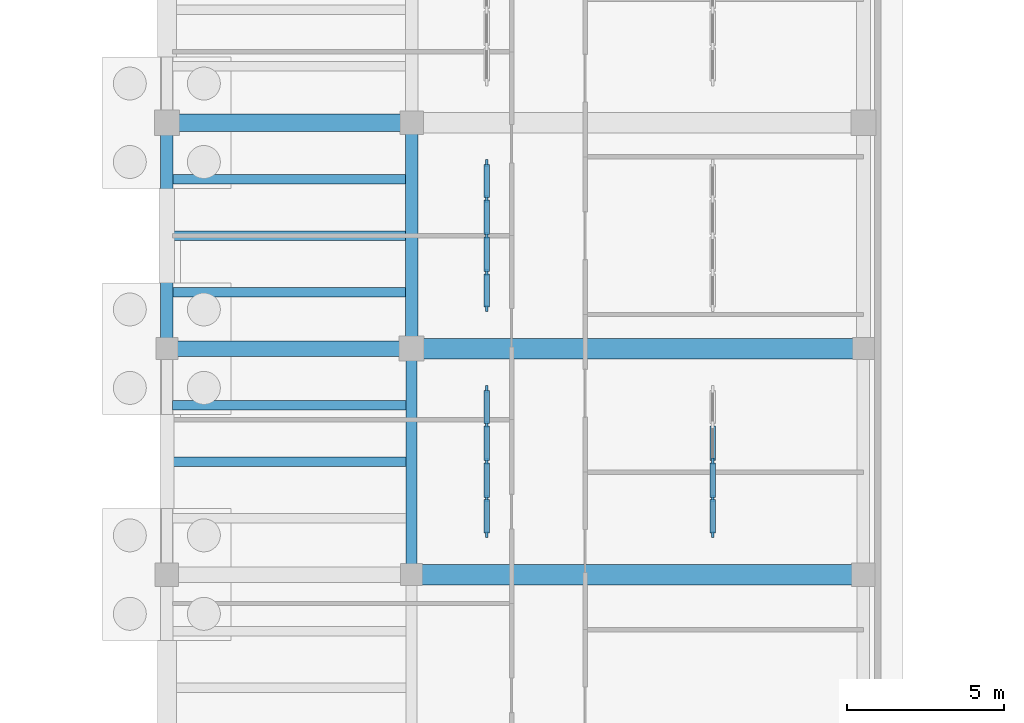
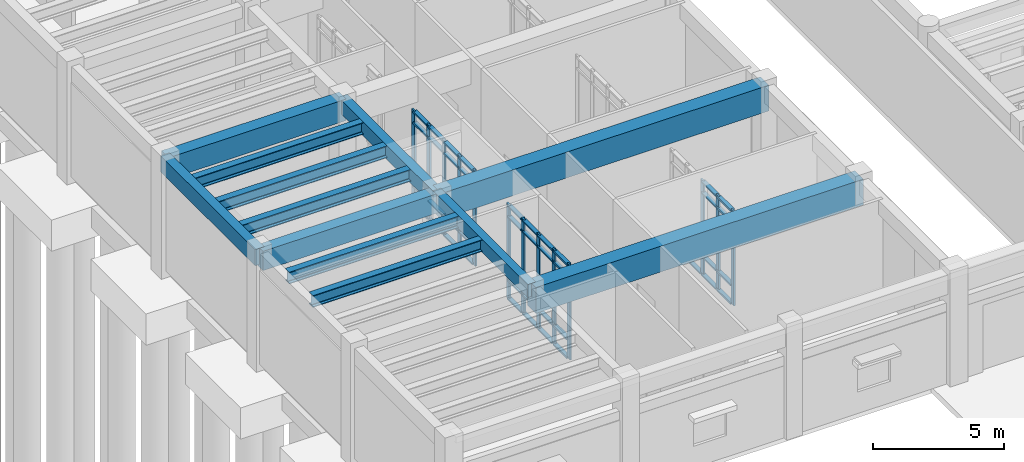
# One storey, part 9 of 100: 54 members, 12 beams, 3 elements without a shape of their own.
"""IFC4 building model written with IfcOpenShell, lengths in metres."""

from ifc_helpers import new_model, si_unit, direction, frame, origin, origin_2d, place, context, subcontext, project, spatial, rectangle, i_section, extrude, material, material_profile, profile_set, type_object, element, aggregate, save


model = new_model("IFC4")

# Units and contexts
model_context = context("Model", 3, precision=1e-05, world=origin(), true_north=direction((0.0, 1.0)))
body_context = subcontext(model_context, "Body", "Model", "MODEL_VIEW")
ifc_project = project(units=[si_unit("LENGTHUNIT", "METRE"), si_unit("AREAUNIT", "SQUARE_METRE"), si_unit("VOLUMEUNIT", "CUBIC_METRE"), si_unit("PLANEANGLEUNIT", "RADIAN"), si_unit("MASSUNIT", "GRAM", prefix="KILO")], contexts=[model_context])

# Site, building, storey
site_placement = place(None, origin())
site = spatial("IfcSite", under=ifc_project, at=site_placement, CompositionType="ELEMENT")
building_placement = place(site_placement, origin())
building = spatial("IfcBuilding", under=site, at=building_placement, Name="Mithqara Police Headquarters", CompositionType="ELEMENT")
storey_placement = place(building_placement, origin())
storey = spatial("IfcBuildingStorey", under=building, at=storey_placement, Name="L00", CompositionType="ELEMENT", Elevation=0.0)

# Beams
ifc_material_1 = material(Name="Steel S355JR", Category="steel")
ifc_material_profile_1 = material_profile(ifc_material_1, i_section(OverallWidth=0.300048828125, OverallDepth=0.550048828125, WebThickness=0.014892578125, FlangeThickness=0.029052734375, FilletRadius=0.027099609375, at=origin_2d()), Name="HEB 550")
ifc_profile_set_1 = profile_set([ifc_material_profile_1], Name="Steel S355JR")
beam_type_1 = type_object("IfcBeamType", Name="BEAM HEB550", PredefinedType="BEAM", material=ifc_profile_set_1)
for number, where, z_axis, x_axis, name in (
    (1, (0.175048828125, 31.800048828125, 4.844970703125), (1.0, 0.0, 0.0), (0.0, 1.0, 0.0), "L00 Composite Steel Joist 1-2/E.2"),
    (2, (0.175048828125, 33.60009765625, 4.844970703125), (1.0, 0.0, 0.0), (0.0, 1.0, 0.0), "L00 Composite Steel Joist 1-2/E.3"),
):
    element("IfcBeam", number, at=place(storey_placement, frame(where, z_axis=z_axis, x_axis=x_axis)), inside=storey, type_object=beam_type_1, Name=name, PredefinedType="BEAM", context=body_context, shape_type="SweptSolid", body=[
        extrude(i_section(OverallWidth=0.300048828125, OverallDepth=0.550048828125, WebThickness=0.014892578125, FlangeThickness=0.029052734375, FilletRadius=0.027099609375, at=origin_2d()), origin(), (0.0, 0.0, 1.0), 7.449951171875),
    ])
for number, where, z_axis, x_axis, name in (
    (3, (0.199951171875, 37.199951171875, 4.844970703125), (1.0, 0.0, 0.0), (0.0, 1.0, 0.0), "L00 Composite Steel Joist 1-2/F.1"),
    (4, (0.199951171875, 39.0, 4.844970703125), (1.0, 0.0, 0.0), (0.0, 1.0, 0.0), "L00 Composite Steel Joist 1-2/F.2"),
    (5, (0.199951171875, 40.800048828125, 4.844970703125), (1.0, 0.0, 0.0), (0.0, 1.0, 0.0), "L00 Composite Steel Joist 1-2/F.3"),
):
    element("IfcBeam", number, at=place(storey_placement, frame(where, z_axis=z_axis, x_axis=x_axis)), inside=storey, type_object=beam_type_1, Name=name, PredefinedType="BEAM", context=body_context, shape_type="SweptSolid", body=[
        extrude(i_section(OverallWidth=0.300048828125, OverallDepth=0.550048828125, WebThickness=0.014892578125, FlangeThickness=0.029052734375, FilletRadius=0.027099609375, at=origin_2d()), origin(), (0.0, 0.0, 1.0), 7.400146484375),
    ])
ifc_material_2 = material(Name="Concrete C40/50", Category="concrete")
ifc_material_profile_2 = material_profile(ifc_material_2, rectangle(XDim=0.35009765625, YDim=0.60009765625, at=origin_2d()), Name="RC 350x600")
ifc_profile_set_2 = profile_set([ifc_material_profile_2], Name="Concrete C40/50")
beam_type_2 = type_object("IfcBeamType", Name="BEAM RC350X600", PredefinedType="BEAM", material=ifc_profile_set_2)
beam_1_placement = place(storey_placement, frame((7.800048828125, 28.199951171875, 4.820068359375), z_axis=(0.0, 1.0, 0.0), x_axis=(-1.0, 0.0, 0.0)))
element("IfcBeam", 6, at=beam_1_placement, inside=storey, type_object=beam_type_2, Name="L00 Girder 2/E-F", PredefinedType="BEAM", context=body_context, shape_type="SweptSolid", body=[
    extrude(rectangle(XDim=0.35009765625, YDim=0.60009765625, at=origin_2d()), origin(), (0.0, 0.0, 1.0), 7.199951171875),
])
ifc_material_profile_3 = material_profile(ifc_material_2, rectangle(XDim=0.39990234375, YDim=0.64990234375, at=origin_2d()), Name="RC 400x650")
ifc_profile_set_3 = profile_set([ifc_material_profile_3], Name="Concrete C40/50")
beam_type_3 = type_object("IfcBeamType", Name="BEAM RC400X650", PredefinedType="BEAM", material=ifc_profile_set_3)
beam_2_placement = place(storey_placement, frame((7.800048828125, 35.39990234375, 4.794921875), z_axis=(0.0, 1.0, 0.0), x_axis=(-1.0, 0.0, 0.0)))
element("IfcBeam", 7, at=beam_2_placement, inside=storey, type_object=beam_type_3, Name="L00 Girder 2/F-G", PredefinedType="BEAM", context=body_context, shape_type="SweptSolid", body=[
    extrude(rectangle(XDim=0.39990234375, YDim=0.64990234375, at=origin_2d()), origin(), (0.0, 0.0, 1.0), 7.2001953125),
])
ifc_material_3 = material(Name="Concrete C50/60", Category="concrete")
ifc_material_profile_4 = material_profile(ifc_material_3, rectangle(XDim=0.5, YDim=0.89990234375, at=origin_2d()), Name="RC 500x900")
ifc_profile_set_4 = profile_set([ifc_material_profile_4], Name="Concrete C50/60")
beam_type_4 = type_object("IfcBeamType", Name="BEAM RC500X900", PredefinedType="BEAM", material=ifc_profile_set_4)
beam_3_placement = place(storey_placement, frame((0.0, 35.39990234375, 4.669921875), z_axis=(1.0, 0.0, 0.0), x_axis=(0.0, 1.0, 0.0)))
element("IfcBeam", 8, at=beam_3_placement, inside=storey, type_object=beam_type_4, Name="L00 Girder 1-2/F", PredefinedType="BEAM", context=body_context, shape_type="SweptSolid", body=[
    extrude(rectangle(XDim=0.5, YDim=0.89990234375, at=origin_2d()), origin(), (0.0, 0.0, 1.0), 7.800048828125),
])
ifc_material_profile_5 = material_profile(ifc_material_3, rectangle(XDim=0.550048828125, YDim=1.0, at=origin_2d()), Name="RC 550x1000")
ifc_profile_set_5 = profile_set([ifc_material_profile_5], Name="Concrete C50/60")
beam_type_5 = type_object("IfcBeamType", Name="BEAM RC550X1000", PredefinedType="BEAM", material=ifc_profile_set_5)
beam_4_placement = place(storey_placement, frame((0.0, 42.60009765625, 4.6201171875), z_axis=(1.0, 0.0, 0.0), x_axis=(0.0, 1.0, 0.0)))
element("IfcBeam", 9, at=beam_4_placement, inside=storey, type_object=beam_type_5, Name="L00 Girder 1-2/G", PredefinedType="BEAM", context=body_context, shape_type="SweptSolid", body=[
    extrude(rectangle(XDim=0.550048828125, YDim=1.0, at=origin_2d()), origin(), (0.0, 0.0, 1.0), 7.800048828125),
])

# Curtain wall, members
ifc_material_4 = material(Name="Bronze anodised aluminium 6063-T6", Category="aluminium")
curtain_wall_type = type_object("IfcCurtainWallType", Name="CURTAIN WALL 4700X4400", PredefinedType="USERDEFINED", material=ifc_material_4)
curtain_wall_1_placement = place(storey_placement, origin())
curtain_wall_1 = element("IfcCurtainWall", 10, at=curtain_wall_1_placement, inside=storey, type_object=curtain_wall_type, Name="L00 Unitised Glazing CW-14 (CW-INT-L00-X01-Y04-0)", ObjectType="UNITISED GLAZING", PredefinedType="USERDEFINED")
ifc_material_profile_6 = material_profile(ifc_material_4, rectangle(XDim=0.074951171875, YDim=0.219970703125, at=origin_2d()), Name="CWM 75x220")
ifc_profile_set_6 = profile_set([ifc_material_profile_6], Name="Bronze anodised aluminium 6063-T6")
member_type_1 = type_object("IfcMemberType", Name="CWMULLION 75X220", PredefinedType="MULLION", material=ifc_profile_set_6)
member_1_placement = place(storey_placement, frame((10.199951171875, 29.487548828125, 0.0), z_axis=(0.0, 0.0, 1.0), x_axis=(-1.0, 0.0, 0.0)))
member_1 = element("IfcMember", 11, at=member_1_placement, type_object=member_type_1, Name="CW-14 mullion 1", PredefinedType="MULLION", context=body_context, shape_type="SweptSolid", body=[
    extrude(rectangle(XDim=0.074951171875, YDim=0.219970703125, at=origin_2d()), origin(), (0.0, 0.0, 1.0), 4.39990234375),
])
member_2_placement = place(storey_placement, frame((10.199951171875, 30.625, 0.0), z_axis=(0.0, 0.0, 1.0), x_axis=(-1.0, 0.0, 0.0)))
member_2 = element("IfcMember", 12, at=member_2_placement, type_object=member_type_1, Name="CW-14 mullion 2", PredefinedType="MULLION", context=body_context, shape_type="SweptSolid", body=[
    extrude(rectangle(XDim=0.074951171875, YDim=0.219970703125, at=origin_2d()), origin(), (0.0, 0.0, 1.0), 4.39990234375),
])
member_3_placement = place(storey_placement, frame((10.199951171875, 31.800048828125, 0.0), z_axis=(0.0, 0.0, 1.0), x_axis=(-1.0, 0.0, 0.0)))
member_3 = element("IfcMember", 13, at=member_3_placement, type_object=member_type_1, Name="CW-14 mullion 3", PredefinedType="MULLION", context=body_context, shape_type="SweptSolid", body=[
    extrude(rectangle(XDim=0.074951171875, YDim=0.219970703125, at=origin_2d()), origin(), (0.0, 0.0, 1.0), 4.39990234375),
])
member_4_placement = place(storey_placement, frame((10.199951171875, 32.97509765625, 0.0), z_axis=(0.0, 0.0, 1.0), x_axis=(-1.0, 0.0, 0.0)))
member_4 = element("IfcMember", 14, at=member_4_placement, type_object=member_type_1, Name="CW-14 mullion 4", PredefinedType="MULLION", context=body_context, shape_type="SweptSolid", body=[
    extrude(rectangle(XDim=0.074951171875, YDim=0.219970703125, at=origin_2d()), origin(), (0.0, 0.0, 1.0), 4.39990234375),
])
member_5_placement = place(storey_placement, frame((10.199951171875, 34.112548828125, 0.0), z_axis=(0.0, 0.0, 1.0), x_axis=(-1.0, 0.0, 0.0)))
member_5 = element("IfcMember", 15, at=member_5_placement, type_object=member_type_1, Name="CW-14 mullion 5", PredefinedType="MULLION", context=body_context, shape_type="SweptSolid", body=[
    extrude(rectangle(XDim=0.074951171875, YDim=0.219970703125, at=origin_2d()), origin(), (0.0, 0.0, 1.0), 4.39990234375),
])

curtain_wall_2_placement = place(storey_placement, origin())
curtain_wall_2 = element("IfcCurtainWall", 16, at=curtain_wall_2_placement, inside=storey, type_object=curtain_wall_type, Name="L00 Unitised Glazing CW-14 (CW-INT-L00-X01-Y05-0)", ObjectType="UNITISED GLAZING", PredefinedType="USERDEFINED")
member_6_placement = place(storey_placement, frame((10.199951171875, 36.6875, 0.0), z_axis=(0.0, 0.0, 1.0), x_axis=(-1.0, 0.0, 0.0)))
member_6 = element("IfcMember", 17, at=member_6_placement, type_object=member_type_1, Name="CW-14 mullion 1", PredefinedType="MULLION", context=body_context, shape_type="SweptSolid", body=[
    extrude(rectangle(XDim=0.074951171875, YDim=0.219970703125, at=origin_2d()), origin(), (0.0, 0.0, 1.0), 4.39990234375),
])
member_7_placement = place(storey_placement, frame((10.199951171875, 37.824951171875, 0.0), z_axis=(0.0, 0.0, 1.0), x_axis=(-1.0, 0.0, 0.0)))
member_7 = element("IfcMember", 18, at=member_7_placement, type_object=member_type_1, Name="CW-14 mullion 2", PredefinedType="MULLION", context=body_context, shape_type="SweptSolid", body=[
    extrude(rectangle(XDim=0.074951171875, YDim=0.219970703125, at=origin_2d()), origin(), (0.0, 0.0, 1.0), 4.39990234375),
])
member_8_placement = place(storey_placement, frame((10.199951171875, 39.0, 0.0), z_axis=(0.0, 0.0, 1.0), x_axis=(-1.0, 0.0, 0.0)))
member_8 = element("IfcMember", 19, at=member_8_placement, type_object=member_type_1, Name="CW-14 mullion 3", PredefinedType="MULLION", context=body_context, shape_type="SweptSolid", body=[
    extrude(rectangle(XDim=0.074951171875, YDim=0.219970703125, at=origin_2d()), origin(), (0.0, 0.0, 1.0), 4.39990234375),
])
member_9_placement = place(storey_placement, frame((10.199951171875, 40.175048828125, 0.0), z_axis=(0.0, 0.0, 1.0), x_axis=(-1.0, 0.0, 0.0)))
member_9 = element("IfcMember", 20, at=member_9_placement, type_object=member_type_1, Name="CW-14 mullion 4", PredefinedType="MULLION", context=body_context, shape_type="SweptSolid", body=[
    extrude(rectangle(XDim=0.074951171875, YDim=0.219970703125, at=origin_2d()), origin(), (0.0, 0.0, 1.0), 4.39990234375),
])
member_10_placement = place(storey_placement, frame((10.199951171875, 41.3125, 0.0), z_axis=(0.0, 0.0, 1.0), x_axis=(-1.0, 0.0, 0.0)))
member_10 = element("IfcMember", 21, at=member_10_placement, type_object=member_type_1, Name="CW-14 mullion 5", PredefinedType="MULLION", context=body_context, shape_type="SweptSolid", body=[
    extrude(rectangle(XDim=0.074951171875, YDim=0.219970703125, at=origin_2d()), origin(), (0.0, 0.0, 1.0), 4.39990234375),
])

curtain_wall_3_placement = place(storey_placement, origin())
curtain_wall_3 = element("IfcCurtainWall", 22, at=curtain_wall_3_placement, inside=storey, type_object=curtain_wall_type, Name="L00 Unitised Glazing CW-14 (CW-INT-L00-X02-Y04-0)", ObjectType="UNITISED GLAZING", PredefinedType="USERDEFINED")
member_11_placement = place(storey_placement, frame((17.39990234375, 29.487548828125, 0.0), z_axis=(0.0, 0.0, 1.0), x_axis=(-1.0, 0.0, 0.0)))
member_11 = element("IfcMember", 23, at=member_11_placement, type_object=member_type_1, Name="CW-14 mullion 1", PredefinedType="MULLION", context=body_context, shape_type="SweptSolid", body=[
    extrude(rectangle(XDim=0.074951171875, YDim=0.219970703125, at=origin_2d()), origin(), (0.0, 0.0, 1.0), 4.39990234375),
])
member_12_placement = place(storey_placement, frame((17.39990234375, 30.625, 0.0), z_axis=(0.0, 0.0, 1.0), x_axis=(-1.0, 0.0, 0.0)))
member_12 = element("IfcMember", 24, at=member_12_placement, type_object=member_type_1, Name="CW-14 mullion 2", PredefinedType="MULLION", context=body_context, shape_type="SweptSolid", body=[
    extrude(rectangle(XDim=0.074951171875, YDim=0.219970703125, at=origin_2d()), origin(), (0.0, 0.0, 1.0), 4.39990234375),
])
member_13_placement = place(storey_placement, frame((17.39990234375, 31.800048828125, 0.0), z_axis=(0.0, 0.0, 1.0), x_axis=(-1.0, 0.0, 0.0)))
member_13 = element("IfcMember", 25, at=member_13_placement, type_object=member_type_1, Name="CW-14 mullion 3", PredefinedType="MULLION", context=body_context, shape_type="SweptSolid", body=[
    extrude(rectangle(XDim=0.074951171875, YDim=0.219970703125, at=origin_2d()), origin(), (0.0, 0.0, 1.0), 4.39990234375),
])

# Member
ifc_material_profile_7 = material_profile(ifc_material_4, rectangle(XDim=0.179931640625, YDim=0.074951171875, at=origin_2d()), Name="CWT 180x75")
ifc_profile_set_7 = profile_set([ifc_material_profile_7], Name="Bronze anodised aluminium 6063-T6")
member_type_2 = type_object("IfcMemberType", Name="CWTRANSOM 180X75", PredefinedType="USERDEFINED", material=ifc_profile_set_7)
member_14_placement = place(storey_placement, frame((10.199951171875, 29.52490234375, 0.03759765625), z_axis=(0.0, 1.0, 0.0), x_axis=(-1.0, 0.0, 0.0)))
member_14 = element("IfcMember", 26, at=member_14_placement, type_object=member_type_2, Name="CW-14 transom 1.1", ObjectType="TRANSOM", PredefinedType="USERDEFINED", context=body_context, shape_type="SweptSolid", body=[
    extrude(rectangle(XDim=0.179931640625, YDim=0.074951171875, at=origin_2d()), origin(), (0.0, 0.0, 1.0), 1.0625),
])

member_15_placement = place(storey_placement, frame((10.199951171875, 29.52490234375, 0.89990234375), z_axis=(0.0, 1.0, 0.0), x_axis=(-1.0, 0.0, 0.0)))
member_15 = element("IfcMember", 27, at=member_15_placement, type_object=member_type_2, Name="CW-14 transom 1.2", ObjectType="TRANSOM", PredefinedType="USERDEFINED", context=body_context, shape_type="SweptSolid", body=[
    extrude(rectangle(XDim=0.179931640625, YDim=0.074951171875, at=origin_2d()), origin(), (0.0, 0.0, 1.0), 1.0625),
])

member_16_placement = place(storey_placement, frame((10.199951171875, 29.52490234375, 3.85009765625), z_axis=(0.0, 1.0, 0.0), x_axis=(-1.0, 0.0, 0.0)))
member_16 = element("IfcMember", 28, at=member_16_placement, type_object=member_type_2, Name="CW-14 transom 1.3", ObjectType="TRANSOM", PredefinedType="USERDEFINED", context=body_context, shape_type="SweptSolid", body=[
    extrude(rectangle(XDim=0.179931640625, YDim=0.074951171875, at=origin_2d()), origin(), (0.0, 0.0, 1.0), 1.0625),
])

member_17_placement = place(storey_placement, frame((10.199951171875, 29.52490234375, 4.362548828125), z_axis=(0.0, 1.0, 0.0), x_axis=(-1.0, 0.0, 0.0)))
member_17 = element("IfcMember", 29, at=member_17_placement, type_object=member_type_2, Name="CW-14 transom 1.4", ObjectType="TRANSOM", PredefinedType="USERDEFINED", context=body_context, shape_type="SweptSolid", body=[
    extrude(rectangle(XDim=0.179931640625, YDim=0.074951171875, at=origin_2d()), origin(), (0.0, 0.0, 1.0), 1.0625),
])

member_18_placement = place(storey_placement, frame((10.199951171875, 30.66259765625, 0.03759765625), z_axis=(0.0, 1.0, 0.0), x_axis=(-1.0, 0.0, 0.0)))
member_18 = element("IfcMember", 30, at=member_18_placement, type_object=member_type_2, Name="CW-14 transom 2.1", ObjectType="TRANSOM", PredefinedType="USERDEFINED", context=body_context, shape_type="SweptSolid", body=[
    extrude(rectangle(XDim=0.179931640625, YDim=0.074951171875, at=origin_2d()), origin(), (0.0, 0.0, 1.0), 1.099853515625),
])

member_19_placement = place(storey_placement, frame((10.199951171875, 30.66259765625, 0.89990234375), z_axis=(0.0, 1.0, 0.0), x_axis=(-1.0, 0.0, 0.0)))
member_19 = element("IfcMember", 31, at=member_19_placement, type_object=member_type_2, Name="CW-14 transom 2.2", ObjectType="TRANSOM", PredefinedType="USERDEFINED", context=body_context, shape_type="SweptSolid", body=[
    extrude(rectangle(XDim=0.179931640625, YDim=0.074951171875, at=origin_2d()), origin(), (0.0, 0.0, 1.0), 1.099853515625),
])

member_20_placement = place(storey_placement, frame((10.199951171875, 30.66259765625, 3.85009765625), z_axis=(0.0, 1.0, 0.0), x_axis=(-1.0, 0.0, 0.0)))
member_20 = element("IfcMember", 32, at=member_20_placement, type_object=member_type_2, Name="CW-14 transom 2.3", ObjectType="TRANSOM", PredefinedType="USERDEFINED", context=body_context, shape_type="SweptSolid", body=[
    extrude(rectangle(XDim=0.179931640625, YDim=0.074951171875, at=origin_2d()), origin(), (0.0, 0.0, 1.0), 1.099853515625),
])

member_21_placement = place(storey_placement, frame((10.199951171875, 30.66259765625, 4.362548828125), z_axis=(0.0, 1.0, 0.0), x_axis=(-1.0, 0.0, 0.0)))
member_21 = element("IfcMember", 33, at=member_21_placement, type_object=member_type_2, Name="CW-14 transom 2.4", ObjectType="TRANSOM", PredefinedType="USERDEFINED", context=body_context, shape_type="SweptSolid", body=[
    extrude(rectangle(XDim=0.179931640625, YDim=0.074951171875, at=origin_2d()), origin(), (0.0, 0.0, 1.0), 1.099853515625),
])

member_22_placement = place(storey_placement, frame((10.199951171875, 31.83740234375, 0.03759765625), z_axis=(0.0, 1.0, 0.0), x_axis=(-1.0, 0.0, 0.0)))
member_22 = element("IfcMember", 34, at=member_22_placement, type_object=member_type_2, Name="CW-14 transom 3.1", ObjectType="TRANSOM", PredefinedType="USERDEFINED", context=body_context, shape_type="SweptSolid", body=[
    extrude(rectangle(XDim=0.179931640625, YDim=0.074951171875, at=origin_2d()), origin(), (0.0, 0.0, 1.0), 1.10009765625),
])

member_23_placement = place(storey_placement, frame((10.199951171875, 31.83740234375, 0.89990234375), z_axis=(0.0, 1.0, 0.0), x_axis=(-1.0, 0.0, 0.0)))
member_23 = element("IfcMember", 35, at=member_23_placement, type_object=member_type_2, Name="CW-14 transom 3.2", ObjectType="TRANSOM", PredefinedType="USERDEFINED", context=body_context, shape_type="SweptSolid", body=[
    extrude(rectangle(XDim=0.179931640625, YDim=0.074951171875, at=origin_2d()), origin(), (0.0, 0.0, 1.0), 1.10009765625),
])

member_24_placement = place(storey_placement, frame((10.199951171875, 31.83740234375, 3.85009765625), z_axis=(0.0, 1.0, 0.0), x_axis=(-1.0, 0.0, 0.0)))
member_24 = element("IfcMember", 36, at=member_24_placement, type_object=member_type_2, Name="CW-14 transom 3.3", ObjectType="TRANSOM", PredefinedType="USERDEFINED", context=body_context, shape_type="SweptSolid", body=[
    extrude(rectangle(XDim=0.179931640625, YDim=0.074951171875, at=origin_2d()), origin(), (0.0, 0.0, 1.0), 1.10009765625),
])

member_25_placement = place(storey_placement, frame((10.199951171875, 31.83740234375, 4.362548828125), z_axis=(0.0, 1.0, 0.0), x_axis=(-1.0, 0.0, 0.0)))
member_25 = element("IfcMember", 37, at=member_25_placement, type_object=member_type_2, Name="CW-14 transom 3.4", ObjectType="TRANSOM", PredefinedType="USERDEFINED", context=body_context, shape_type="SweptSolid", body=[
    extrude(rectangle(XDim=0.179931640625, YDim=0.074951171875, at=origin_2d()), origin(), (0.0, 0.0, 1.0), 1.10009765625),
])

member_26_placement = place(storey_placement, frame((10.199951171875, 33.012451171875, 0.03759765625), z_axis=(0.0, 1.0, 0.0), x_axis=(-1.0, 0.0, 0.0)))
member_26 = element("IfcMember", 38, at=member_26_placement, type_object=member_type_2, Name="CW-14 transom 4.1", ObjectType="TRANSOM", PredefinedType="USERDEFINED", context=body_context, shape_type="SweptSolid", body=[
    extrude(rectangle(XDim=0.179931640625, YDim=0.074951171875, at=origin_2d()), origin(), (0.0, 0.0, 1.0), 1.0625),
])

member_27_placement = place(storey_placement, frame((10.199951171875, 33.012451171875, 0.89990234375), z_axis=(0.0, 1.0, 0.0), x_axis=(-1.0, 0.0, 0.0)))
member_27 = element("IfcMember", 39, at=member_27_placement, type_object=member_type_2, Name="CW-14 transom 4.2", ObjectType="TRANSOM", PredefinedType="USERDEFINED", context=body_context, shape_type="SweptSolid", body=[
    extrude(rectangle(XDim=0.179931640625, YDim=0.074951171875, at=origin_2d()), origin(), (0.0, 0.0, 1.0), 1.0625),
])

member_28_placement = place(storey_placement, frame((10.199951171875, 33.012451171875, 3.85009765625), z_axis=(0.0, 1.0, 0.0), x_axis=(-1.0, 0.0, 0.0)))
member_28 = element("IfcMember", 40, at=member_28_placement, type_object=member_type_2, Name="CW-14 transom 4.3", ObjectType="TRANSOM", PredefinedType="USERDEFINED", context=body_context, shape_type="SweptSolid", body=[
    extrude(rectangle(XDim=0.179931640625, YDim=0.074951171875, at=origin_2d()), origin(), (0.0, 0.0, 1.0), 1.0625),
])

member_29_placement = place(storey_placement, frame((10.199951171875, 33.012451171875, 4.362548828125), z_axis=(0.0, 1.0, 0.0), x_axis=(-1.0, 0.0, 0.0)))
member_29 = element("IfcMember", 41, at=member_29_placement, type_object=member_type_2, Name="CW-14 transom 4.4", ObjectType="TRANSOM", PredefinedType="USERDEFINED", context=body_context, shape_type="SweptSolid", body=[
    extrude(rectangle(XDim=0.179931640625, YDim=0.074951171875, at=origin_2d()), origin(), (0.0, 0.0, 1.0), 1.0625),
])

aggregate(curtain_wall_1, [member_1, member_2, member_3, member_4, member_5, member_14, member_15, member_16, member_17, member_18, member_19, member_20, member_21, member_22, member_23, member_24, member_25, member_26, member_27, member_28, member_29])

member_30_placement = place(storey_placement, frame((10.199951171875, 36.72509765625, 0.03759765625), z_axis=(0.0, 1.0, 0.0), x_axis=(-1.0, 0.0, 0.0)))
member_30 = element("IfcMember", 42, at=member_30_placement, type_object=member_type_2, Name="CW-14 transom 1.1", ObjectType="TRANSOM", PredefinedType="USERDEFINED", context=body_context, shape_type="SweptSolid", body=[
    extrude(rectangle(XDim=0.179931640625, YDim=0.074951171875, at=origin_2d()), origin(), (0.0, 0.0, 1.0), 1.0625),
])

member_31_placement = place(storey_placement, frame((10.199951171875, 36.72509765625, 0.89990234375), z_axis=(0.0, 1.0, 0.0), x_axis=(-1.0, 0.0, 0.0)))
member_31 = element("IfcMember", 43, at=member_31_placement, type_object=member_type_2, Name="CW-14 transom 1.2", ObjectType="TRANSOM", PredefinedType="USERDEFINED", context=body_context, shape_type="SweptSolid", body=[
    extrude(rectangle(XDim=0.179931640625, YDim=0.074951171875, at=origin_2d()), origin(), (0.0, 0.0, 1.0), 1.0625),
])

member_32_placement = place(storey_placement, frame((10.199951171875, 36.72509765625, 3.85009765625), z_axis=(0.0, 1.0, 0.0), x_axis=(-1.0, 0.0, 0.0)))
member_32 = element("IfcMember", 44, at=member_32_placement, type_object=member_type_2, Name="CW-14 transom 1.3", ObjectType="TRANSOM", PredefinedType="USERDEFINED", context=body_context, shape_type="SweptSolid", body=[
    extrude(rectangle(XDim=0.179931640625, YDim=0.074951171875, at=origin_2d()), origin(), (0.0, 0.0, 1.0), 1.0625),
])

member_33_placement = place(storey_placement, frame((10.199951171875, 36.72509765625, 4.362548828125), z_axis=(0.0, 1.0, 0.0), x_axis=(-1.0, 0.0, 0.0)))
member_33 = element("IfcMember", 45, at=member_33_placement, type_object=member_type_2, Name="CW-14 transom 1.4", ObjectType="TRANSOM", PredefinedType="USERDEFINED", context=body_context, shape_type="SweptSolid", body=[
    extrude(rectangle(XDim=0.179931640625, YDim=0.074951171875, at=origin_2d()), origin(), (0.0, 0.0, 1.0), 1.0625),
])

member_34_placement = place(storey_placement, frame((10.199951171875, 37.862548828125, 0.03759765625), z_axis=(0.0, 1.0, 0.0), x_axis=(-1.0, 0.0, 0.0)))
member_34 = element("IfcMember", 46, at=member_34_placement, type_object=member_type_2, Name="CW-14 transom 2.1", ObjectType="TRANSOM", PredefinedType="USERDEFINED", context=body_context, shape_type="SweptSolid", body=[
    extrude(rectangle(XDim=0.179931640625, YDim=0.074951171875, at=origin_2d()), origin(), (0.0, 0.0, 1.0), 1.099853515625),
])

member_35_placement = place(storey_placement, frame((10.199951171875, 37.862548828125, 0.89990234375), z_axis=(0.0, 1.0, 0.0), x_axis=(-1.0, 0.0, 0.0)))
member_35 = element("IfcMember", 47, at=member_35_placement, type_object=member_type_2, Name="CW-14 transom 2.2", ObjectType="TRANSOM", PredefinedType="USERDEFINED", context=body_context, shape_type="SweptSolid", body=[
    extrude(rectangle(XDim=0.179931640625, YDim=0.074951171875, at=origin_2d()), origin(), (0.0, 0.0, 1.0), 1.099853515625),
])

member_36_placement = place(storey_placement, frame((10.199951171875, 37.862548828125, 3.85009765625), z_axis=(0.0, 1.0, 0.0), x_axis=(-1.0, 0.0, 0.0)))
member_36 = element("IfcMember", 48, at=member_36_placement, type_object=member_type_2, Name="CW-14 transom 2.3", ObjectType="TRANSOM", PredefinedType="USERDEFINED", context=body_context, shape_type="SweptSolid", body=[
    extrude(rectangle(XDim=0.179931640625, YDim=0.074951171875, at=origin_2d()), origin(), (0.0, 0.0, 1.0), 1.099853515625),
])

member_37_placement = place(storey_placement, frame((10.199951171875, 37.862548828125, 4.362548828125), z_axis=(0.0, 1.0, 0.0), x_axis=(-1.0, 0.0, 0.0)))
member_37 = element("IfcMember", 49, at=member_37_placement, type_object=member_type_2, Name="CW-14 transom 2.4", ObjectType="TRANSOM", PredefinedType="USERDEFINED", context=body_context, shape_type="SweptSolid", body=[
    extrude(rectangle(XDim=0.179931640625, YDim=0.074951171875, at=origin_2d()), origin(), (0.0, 0.0, 1.0), 1.099853515625),
])

member_38_placement = place(storey_placement, frame((10.199951171875, 39.03759765625, 0.03759765625), z_axis=(0.0, 1.0, 0.0), x_axis=(-1.0, 0.0, 0.0)))
member_38 = element("IfcMember", 50, at=member_38_placement, type_object=member_type_2, Name="CW-14 transom 3.1", ObjectType="TRANSOM", PredefinedType="USERDEFINED", context=body_context, shape_type="SweptSolid", body=[
    extrude(rectangle(XDim=0.179931640625, YDim=0.074951171875, at=origin_2d()), origin(), (0.0, 0.0, 1.0), 1.099853515625),
])

member_39_placement = place(storey_placement, frame((10.199951171875, 39.03759765625, 0.89990234375), z_axis=(0.0, 1.0, 0.0), x_axis=(-1.0, 0.0, 0.0)))
member_39 = element("IfcMember", 51, at=member_39_placement, type_object=member_type_2, Name="CW-14 transom 3.2", ObjectType="TRANSOM", PredefinedType="USERDEFINED", context=body_context, shape_type="SweptSolid", body=[
    extrude(rectangle(XDim=0.179931640625, YDim=0.074951171875, at=origin_2d()), origin(), (0.0, 0.0, 1.0), 1.099853515625),
])

member_40_placement = place(storey_placement, frame((10.199951171875, 39.03759765625, 3.85009765625), z_axis=(0.0, 1.0, 0.0), x_axis=(-1.0, 0.0, 0.0)))
member_40 = element("IfcMember", 52, at=member_40_placement, type_object=member_type_2, Name="CW-14 transom 3.3", ObjectType="TRANSOM", PredefinedType="USERDEFINED", context=body_context, shape_type="SweptSolid", body=[
    extrude(rectangle(XDim=0.179931640625, YDim=0.074951171875, at=origin_2d()), origin(), (0.0, 0.0, 1.0), 1.099853515625),
])

member_41_placement = place(storey_placement, frame((10.199951171875, 39.03759765625, 4.362548828125), z_axis=(0.0, 1.0, 0.0), x_axis=(-1.0, 0.0, 0.0)))
member_41 = element("IfcMember", 53, at=member_41_placement, type_object=member_type_2, Name="CW-14 transom 3.4", ObjectType="TRANSOM", PredefinedType="USERDEFINED", context=body_context, shape_type="SweptSolid", body=[
    extrude(rectangle(XDim=0.179931640625, YDim=0.074951171875, at=origin_2d()), origin(), (0.0, 0.0, 1.0), 1.099853515625),
])

member_42_placement = place(storey_placement, frame((10.199951171875, 40.21240234375, 0.03759765625), z_axis=(0.0, 1.0, 0.0), x_axis=(-1.0, 0.0, 0.0)))
member_42 = element("IfcMember", 54, at=member_42_placement, type_object=member_type_2, Name="CW-14 transom 4.1", ObjectType="TRANSOM", PredefinedType="USERDEFINED", context=body_context, shape_type="SweptSolid", body=[
    extrude(rectangle(XDim=0.179931640625, YDim=0.074951171875, at=origin_2d()), origin(), (0.0, 0.0, 1.0), 1.0625),
])

member_43_placement = place(storey_placement, frame((10.199951171875, 40.21240234375, 0.89990234375), z_axis=(0.0, 1.0, 0.0), x_axis=(-1.0, 0.0, 0.0)))
member_43 = element("IfcMember", 55, at=member_43_placement, type_object=member_type_2, Name="CW-14 transom 4.2", ObjectType="TRANSOM", PredefinedType="USERDEFINED", context=body_context, shape_type="SweptSolid", body=[
    extrude(rectangle(XDim=0.179931640625, YDim=0.074951171875, at=origin_2d()), origin(), (0.0, 0.0, 1.0), 1.0625),
])

member_44_placement = place(storey_placement, frame((10.199951171875, 40.21240234375, 3.85009765625), z_axis=(0.0, 1.0, 0.0), x_axis=(-1.0, 0.0, 0.0)))
member_44 = element("IfcMember", 56, at=member_44_placement, type_object=member_type_2, Name="CW-14 transom 4.3", ObjectType="TRANSOM", PredefinedType="USERDEFINED", context=body_context, shape_type="SweptSolid", body=[
    extrude(rectangle(XDim=0.179931640625, YDim=0.074951171875, at=origin_2d()), origin(), (0.0, 0.0, 1.0), 1.0625),
])

member_45_placement = place(storey_placement, frame((10.199951171875, 40.21240234375, 4.362548828125), z_axis=(0.0, 1.0, 0.0), x_axis=(-1.0, 0.0, 0.0)))
member_45 = element("IfcMember", 57, at=member_45_placement, type_object=member_type_2, Name="CW-14 transom 4.4", ObjectType="TRANSOM", PredefinedType="USERDEFINED", context=body_context, shape_type="SweptSolid", body=[
    extrude(rectangle(XDim=0.179931640625, YDim=0.074951171875, at=origin_2d()), origin(), (0.0, 0.0, 1.0), 1.0625),
])

aggregate(curtain_wall_2, [member_6, member_7, member_8, member_9, member_10, member_30, member_31, member_32, member_33, member_34, member_35, member_36, member_37, member_38, member_39, member_40, member_41, member_42, member_43, member_44, member_45])

member_46_placement = place(storey_placement, frame((17.39990234375, 29.52490234375, 0.03759765625), z_axis=(0.0, 1.0, 0.0), x_axis=(-1.0, 0.0, 0.0)))
member_46 = element("IfcMember", 58, at=member_46_placement, type_object=member_type_2, Name="CW-14 transom 1.1", ObjectType="TRANSOM", PredefinedType="USERDEFINED", context=body_context, shape_type="SweptSolid", body=[
    extrude(rectangle(XDim=0.179931640625, YDim=0.074951171875, at=origin_2d()), origin(), (0.0, 0.0, 1.0), 1.0625),
])

member_47_placement = place(storey_placement, frame((17.39990234375, 29.52490234375, 0.89990234375), z_axis=(0.0, 1.0, 0.0), x_axis=(-1.0, 0.0, 0.0)))
member_47 = element("IfcMember", 59, at=member_47_placement, type_object=member_type_2, Name="CW-14 transom 1.2", ObjectType="TRANSOM", PredefinedType="USERDEFINED", context=body_context, shape_type="SweptSolid", body=[
    extrude(rectangle(XDim=0.179931640625, YDim=0.074951171875, at=origin_2d()), origin(), (0.0, 0.0, 1.0), 1.0625),
])

member_48_placement = place(storey_placement, frame((17.39990234375, 29.52490234375, 3.85009765625), z_axis=(0.0, 1.0, 0.0), x_axis=(-1.0, 0.0, 0.0)))
member_48 = element("IfcMember", 60, at=member_48_placement, type_object=member_type_2, Name="CW-14 transom 1.3", ObjectType="TRANSOM", PredefinedType="USERDEFINED", context=body_context, shape_type="SweptSolid", body=[
    extrude(rectangle(XDim=0.179931640625, YDim=0.074951171875, at=origin_2d()), origin(), (0.0, 0.0, 1.0), 1.0625),
])

member_49_placement = place(storey_placement, frame((17.39990234375, 29.52490234375, 4.362548828125), z_axis=(0.0, 1.0, 0.0), x_axis=(-1.0, 0.0, 0.0)))
member_49 = element("IfcMember", 61, at=member_49_placement, type_object=member_type_2, Name="CW-14 transom 1.4", ObjectType="TRANSOM", PredefinedType="USERDEFINED", context=body_context, shape_type="SweptSolid", body=[
    extrude(rectangle(XDim=0.179931640625, YDim=0.074951171875, at=origin_2d()), origin(), (0.0, 0.0, 1.0), 1.0625),
])

member_50_placement = place(storey_placement, frame((17.39990234375, 30.66259765625, 0.03759765625), z_axis=(0.0, 1.0, 0.0), x_axis=(-1.0, 0.0, 0.0)))
member_50 = element("IfcMember", 62, at=member_50_placement, type_object=member_type_2, Name="CW-14 transom 2.1", ObjectType="TRANSOM", PredefinedType="USERDEFINED", context=body_context, shape_type="SweptSolid", body=[
    extrude(rectangle(XDim=0.179931640625, YDim=0.074951171875, at=origin_2d()), origin(), (0.0, 0.0, 1.0), 1.099853515625),
])

member_51_placement = place(storey_placement, frame((17.39990234375, 30.66259765625, 0.89990234375), z_axis=(0.0, 1.0, 0.0), x_axis=(-1.0, 0.0, 0.0)))
member_51 = element("IfcMember", 63, at=member_51_placement, type_object=member_type_2, Name="CW-14 transom 2.2", ObjectType="TRANSOM", PredefinedType="USERDEFINED", context=body_context, shape_type="SweptSolid", body=[
    extrude(rectangle(XDim=0.179931640625, YDim=0.074951171875, at=origin_2d()), origin(), (0.0, 0.0, 1.0), 1.099853515625),
])

member_52_placement = place(storey_placement, frame((17.39990234375, 30.66259765625, 3.85009765625), z_axis=(0.0, 1.0, 0.0), x_axis=(-1.0, 0.0, 0.0)))
member_52 = element("IfcMember", 64, at=member_52_placement, type_object=member_type_2, Name="CW-14 transom 2.3", ObjectType="TRANSOM", PredefinedType="USERDEFINED", context=body_context, shape_type="SweptSolid", body=[
    extrude(rectangle(XDim=0.179931640625, YDim=0.074951171875, at=origin_2d()), origin(), (0.0, 0.0, 1.0), 1.099853515625),
])

member_53_placement = place(storey_placement, frame((17.39990234375, 30.66259765625, 4.362548828125), z_axis=(0.0, 1.0, 0.0), x_axis=(-1.0, 0.0, 0.0)))
member_53 = element("IfcMember", 65, at=member_53_placement, type_object=member_type_2, Name="CW-14 transom 2.4", ObjectType="TRANSOM", PredefinedType="USERDEFINED", context=body_context, shape_type="SweptSolid", body=[
    extrude(rectangle(XDim=0.179931640625, YDim=0.074951171875, at=origin_2d()), origin(), (0.0, 0.0, 1.0), 1.099853515625),
])

member_54_placement = place(storey_placement, frame((17.39990234375, 31.83740234375, 0.03759765625), z_axis=(0.0, 1.0, 0.0), x_axis=(-1.0, 0.0, 0.0)))
member_54 = element("IfcMember", 66, at=member_54_placement, type_object=member_type_2, Name="CW-14 transom 3.1", ObjectType="TRANSOM", PredefinedType="USERDEFINED", context=body_context, shape_type="SweptSolid", body=[
    extrude(rectangle(XDim=0.179931640625, YDim=0.074951171875, at=origin_2d()), origin(), (0.0, 0.0, 1.0), 1.10009765625),
])

aggregate(curtain_wall_3, [member_11, member_12, member_13, member_46, member_47, member_48, member_49, member_50, member_51, member_52, member_53, member_54])

# Beams
ifc_material_profile_8 = material_profile(ifc_material_2, rectangle(XDim=0.39990234375, YDim=0.75, at=origin_2d()), Name="SPB 400x750")
ifc_profile_set_8 = profile_set([ifc_material_profile_8], Name="Concrete C40/50")
beam_type_6 = type_object("IfcBeamType", Name="SPANDREL 400X750", PredefinedType="SPANDREL", material=ifc_profile_set_8)
beam_5_placement = place(storey_placement, frame((0.0, 35.39990234375, 4.7451171875), z_axis=(0.0, 1.0, 0.0), x_axis=(-1.0, 0.0, 0.0)))
element("IfcBeam", 67, at=beam_5_placement, inside=storey, type_object=beam_type_6, Name="L00 Girder 1/F-G", PredefinedType="SPANDREL", context=body_context, shape_type="SweptSolid", body=[
    extrude(rectangle(XDim=0.39990234375, YDim=0.75, at=origin_2d()), origin(), (0.0, 0.0, 1.0), 7.2001953125),
])
ifc_material_profile_9 = material_profile(ifc_material_3, rectangle(XDim=0.64990234375, YDim=1.199951171875, at=origin_2d()), Name="RC 650x1200")
ifc_profile_set_9 = profile_set([ifc_material_profile_9], Name="Concrete C50/60")
beam_type_7 = type_object("IfcBeamType", Name="TRANSFER RC650X1200", PredefinedType="BEAM", material=ifc_profile_set_9)
for number, where, z_axis, x_axis, name in (
    (68, (7.800048828125, 28.199951171875, 4.52001953125), (1.0, 0.0, 0.0), (0.0, 1.0, 0.0), "L00 Girder 2-4/E"),
    (69, (7.800048828125, 35.39990234375, 4.52001953125), (1.0, 0.0, 0.0), (0.0, 1.0, 0.0), "L00 Girder 2-4/F"),
):
    element("IfcBeam", number, at=place(storey_placement, frame(where, z_axis=z_axis, x_axis=x_axis)), inside=storey, type_object=beam_type_7, Name=name, PredefinedType="BEAM", context=body_context, shape_type="SweptSolid", body=[
        extrude(rectangle(XDim=0.64990234375, YDim=1.199951171875, at=origin_2d()), origin(), (0.0, 0.0, 1.0), 14.39990234375),
    ])

save(model, "model.ifc")
